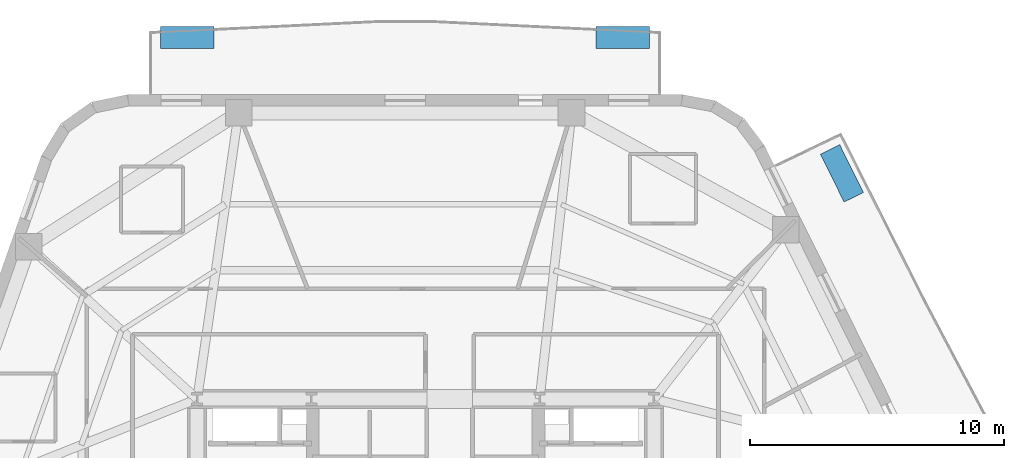
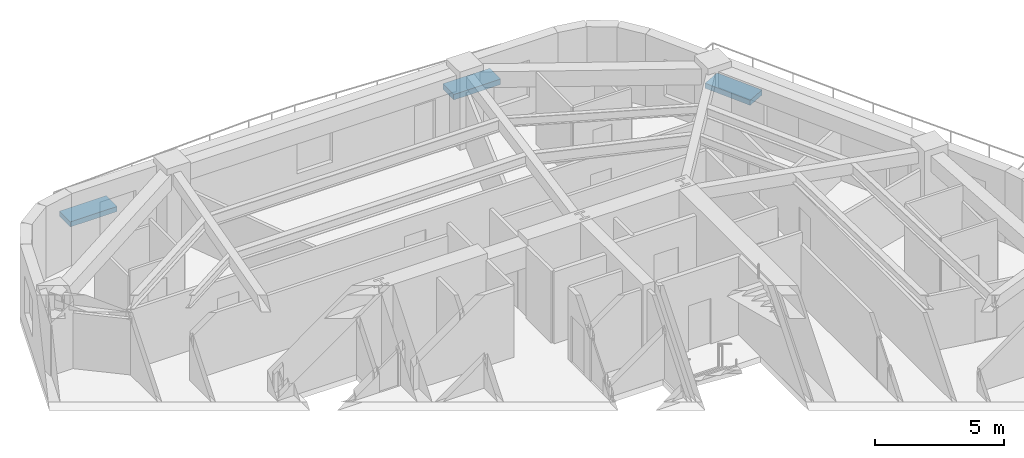
# One storey, part 7 of 10: 3 discrete accessories.
"""IFC4 building model written with IfcOpenShell, lengths in metres."""

import ifcopenshell
import ifcopenshell.guid

model = None  # the IFC model being written
_history = None  # IfcOwnerHistory: only IFC2X3 demands one
_inside = {}  # id of a spatial element -> (the spatial element, [elements in it])
_under = {}  # id of a project, library or spatial element -> (it, [spatial elements below it])
_declared = {}  # id of a project -> (the project, [libraries it declares])
_typed = {}  # id of a type object -> (the type object, [elements of that type])
_made_of = {}  # id of a material, layer set ... -> (it, [elements and type objects made of it])


def new_model(schema):
    """Start an empty IFC model of exactly this schema.

    Asked for "IFC4X3", IfcOpenShell would pick the latest addendum, in which some entities
    have other attributes; the version numbers below select the first issue.
    IFC2X3 requires an IfcOwnerHistory on every rooted entity: one is made here for all.
    """
    global model, _history
    if schema == "IFC4X3":
        model = ifcopenshell.file(schema_version=(4, 3, 0, 0))
    else:
        model = ifcopenshell.file(schema=schema)
    _inside.clear()
    _under.clear()
    _declared.clear()
    _typed.clear()
    _made_of.clear()
    _history = None
    if model.schema == "IFC2X3":
        org = make("IfcOrganization", Name="unknown")
        user = make(
            "IfcPersonAndOrganization",
            ThePerson=make("IfcPerson", FamilyName="unknown"),
            TheOrganization=org,
        )
        app = make(
            "IfcApplication",
            ApplicationDeveloper=org,
            Version="unknown",
            ApplicationFullName="unknown",
            ApplicationIdentifier="unknown",
        )
        _history = make(
            "IfcOwnerHistory",
            OwningUser=user,
            OwningApplication=app,
            ChangeAction="ADDED",
            CreationDate=0,
        )
    return model


def make(cls, **values):
    """One entity of the class cls with the attributes given. An attribute that is None is left unset."""
    return model.create_entity(
        cls, **{name: value for name, value in values.items() if value is not None}
    )


def rooted(cls, **values):
    """An entity with a GlobalId (a new one), such as an element, a storey or a relation."""
    return make(cls, GlobalId=ifcopenshell.guid.new(), OwnerHistory=_history, **values)


def si_unit(unit_type, name, prefix=None):
    """IfcSIUnit, for example si_unit("LENGTHUNIT", "METRE", prefix="MILLI")."""
    return make("IfcSIUnit", UnitType=unit_type, Prefix=prefix, Name=name)


def assignment(units):
    """IfcUnitAssignment: the units of a project."""
    return None if units is None else make("IfcUnitAssignment", Units=units)


def point(xyz):
    """IfcCartesianPoint."""
    return None if xyz is None else make("IfcCartesianPoint", Coordinates=xyz)


def direction(xyz):
    """IfcDirection."""
    return None if xyz is None else make("IfcDirection", DirectionRatios=xyz)


def frame(location, z_axis=None, x_axis=None):
    """IfcAxis2Placement3D, a coordinate frame: its origin and axes. An axis left out is left unset."""
    return make(
        "IfcAxis2Placement3D",
        Location=point(location),
        Axis=direction(z_axis),
        RefDirection=direction(x_axis),
    )


def frame_2d(location, x_axis=None):
    """IfcAxis2Placement2D, a coordinate frame in the plane: its origin and x axis."""
    return make(
        "IfcAxis2Placement2D", Location=point(location), RefDirection=direction(x_axis)
    )


def origin():
    """The frame at (0, 0, 0) with its axes left unset."""
    return frame((0.0, 0.0, 0.0))


def origin_2d():
    """The frame at (0, 0) in the plane with its x axis left unset."""
    return frame_2d((0.0, 0.0))


def place(relative_to, where):
    """IfcLocalPlacement: puts the frame where relative to a parent placement (None: the world)."""
    return make(
        "IfcLocalPlacement", PlacementRelTo=relative_to, RelativePlacement=where
    )


def context(
    kind, dimensions, precision=None, world=None, true_north=None, identifier=None
):
    """IfcGeometricRepresentationContext, for example the 3D "Model" context."""
    return make(
        "IfcGeometricRepresentationContext",
        ContextIdentifier=identifier,
        ContextType=kind,
        CoordinateSpaceDimension=dimensions,
        Precision=precision,
        WorldCoordinateSystem=world,
        TrueNorth=true_north,
    )


def subcontext(parent, identifier, kind, view, scale=None):
    """IfcGeometricRepresentationSubContext, for example "Body" below "Model"."""
    return make(
        "IfcGeometricRepresentationSubContext",
        ContextIdentifier=identifier,
        ContextType=kind,
        ParentContext=parent,
        TargetScale=scale,
        TargetView=view,
    )


def project(units=None, contexts=None):
    """IfcProject with its units and contexts."""
    return rooted(
        "IfcProject",
        Name="project",
        RepresentationContexts=contexts,
        UnitsInContext=assignment(units),
    )


def spatial(cls, under=None, at=None, **own):
    """A site, building, storey or space (cls), placed at a placement, below another one or the project."""
    s = rooted(cls, ObjectPlacement=at, **own)
    if under is not None:
        _under.setdefault(under.id(), (under, []))[1].append(s)
    return s


def profile(cls, at=None, kind="AREA", **sizes):
    """A parametric profile (cls). Its sizes go by their IFC names, for example OverallWidth=200.0."""
    return make(cls, ProfileType=kind, Position=at, **sizes)


def rectangle(**sizes):
    """IfcRectangleProfileDef."""
    return profile("IfcRectangleProfileDef", **sizes)


def extrude(swept, where, along, depth):
    """IfcExtrudedAreaSolid: the profile swept, set in the frame where, extruded along a direction by depth."""
    return make(
        "IfcExtrudedAreaSolid",
        SweptArea=swept,
        Position=where,
        ExtrudedDirection=direction(along),
        Depth=depth,
    )


def shape(context_of_items, identifier, shape_type, items):
    """IfcShapeRepresentation: the items that make up one representation, for example the "Body"."""
    return make(
        "IfcShapeRepresentation",
        ContextOfItems=context_of_items,
        RepresentationIdentifier=identifier,
        RepresentationType=shape_type,
        Items=items,
    )


def material(Name=None, Category=None):
    """IfcMaterial."""
    return make("IfcMaterial", Name=Name, Category=Category)


def made_of(thing, what):
    """Note that an element or type object is made of a material, layer set ...; save() writes the relation."""
    if what is not None:
        _made_of.setdefault(what.id(), (what, []))[1].append(thing)
    return thing


def type_object(cls, material=None, **own):
    """A type object (cls), such as IfcWallType, which elements share."""
    return made_of(rooted(cls, **own), material)


def element(
    cls,
    number,
    at=None,
    inside=None,
    cuts=None,
    type_object=None,
    material=None,
    context=None,
    identifier="Body",
    shape_type=None,
    held_by="IfcProductDefinitionShape",
    body=None,
    shapes=None,
    **own,
):
    """One element of the class cls, such as IfcWall. Its Tag is "e" and its number.

    at: its placement. inside: the storey or other place that contains it. cuts: it is an
    opening in that element (IfcRelVoidsElement). A single representation is given by context,
    identifier, shape_type and body (its items); several are given by shapes. held_by: the class
    of the entity that holds the representations. save() writes the other relations.
    """
    e = rooted(cls, Tag="e%d" % number, ObjectPlacement=at, **own)
    if body is not None:
        shapes = [shape(context, identifier, shape_type, body)]
    if shapes is not None:
        e.Representation = make(held_by, Representations=shapes)
    if inside is not None:
        _inside.setdefault(inside.id(), (inside, []))[1].append(e)
    if cuts is not None:
        rooted(
            "IfcRelVoidsElement", RelatingBuildingElement=cuts, RelatedOpeningElement=e
        )
    if type_object is not None:
        _typed.setdefault(type_object.id(), (type_object, []))[1].append(e)
    return made_of(e, material)


def aggregate(whole, parts):
    """IfcRelAggregates: a whole, such as a stair, and the parts it consists of."""
    return rooted("IfcRelAggregates", RelatingObject=whole, RelatedObjects=parts)


def save(model, path):
    """Write the relations noted so far, then the file.

    IfcRelAggregates (storeys below a building ...), IfcRelContainedInSpatialStructure (elements
    in a storey), IfcRelDefinesByType, IfcRelAssociatesMaterial and IfcRelDeclares: one each for
    every whole, place, type object, material and project.
    """
    for whole, parts in _under.values():
        aggregate(whole, parts)
    for where, things in _inside.values():
        rooted(
            "IfcRelContainedInSpatialStructure",
            RelatedElements=things,
            RelatingStructure=where,
        )
    for kind, things in _typed.values():
        rooted("IfcRelDefinesByType", RelatedObjects=things, RelatingType=kind)
    for what, things in _made_of.values():
        rooted("IfcRelAssociatesMaterial", RelatedObjects=things, RelatingMaterial=what)
    for by, libraries in _declared.values():
        rooted("IfcRelDeclares", RelatingContext=by, RelatedDefinitions=libraries)
    model.write(path)


model = new_model("IFC4")

# Units and contexts
model_context = context("Model", 3, precision=1e-05, world=origin(), true_north=direction((0.0, 1.0)))
body_context = subcontext(model_context, "Body", "Model", "MODEL_VIEW")
ifc_project = project(units=[si_unit("LENGTHUNIT", "METRE"), si_unit("AREAUNIT", "SQUARE_METRE"), si_unit("VOLUMEUNIT", "CUBIC_METRE"), si_unit("PLANEANGLEUNIT", "RADIAN"), si_unit("MASSUNIT", "GRAM", prefix="KILO")], contexts=[model_context])

# Site, building, storey
site_placement = place(None, origin())
site = spatial("IfcSite", under=ifc_project, at=site_placement, CompositionType="ELEMENT")
building_placement = place(site_placement, origin())
building = spatial("IfcBuilding", under=site, at=building_placement, Name="Kilnhurst Terrace Hotel", CompositionType="ELEMENT")
storey_placement = place(building_placement, frame((0.0, 0.0, 186.699951171875)))
storey = spatial("IfcBuildingStorey", under=building, at=storey_placement, Name="L46", CompositionType="ELEMENT", Elevation=186.699951171875)

# Discrete accessories
ifc_material_1 = material(Name="Precast Concrete C40/50 Shrub Planter", Category="concrete")
discrete_accessory_type_1 = type_object("IfcDiscreteAccessoryType", Name="PLN-SHRUB-240", PredefinedType="USERDEFINED", material=ifc_material_1)
for number, where, z_axis, x_axis, name in (
    (1, (16.414306640625, 16.393310546875, 0.0), (0.0, 0.0, 1.0), (-0.444244308887, 0.895905683664, 0.0), "L46 Structural Tree Planter Box PLANTER BAL-L1A.2"),
    (2, (-9.3935546875, 21.75, 0.0), (0.0, 0.0, 1.0), (-1.0, 0.0, 0.0), "L46 Structural Tree Planter Box PLANTER BAL-L1B.2"),
):
    element("IfcDiscreteAccessory", number, at=place(storey_placement, frame(where, z_axis=z_axis, x_axis=x_axis)), inside=storey, type_object=discrete_accessory_type_1, Name=name, ObjectType="PLANTER", PredefinedType="USERDEFINED", context=body_context, shape_type="SweptSolid", body=[
        extrude(rectangle(XDim=2.10009765625, YDim=0.85009765625, at=origin_2d()), origin(), (0.0, 0.0, 1.0), 0.239990234375),
    ])
ifc_material_2 = material(Name="Precast Concrete C40/50 Tree Planter", Category="concrete")
discrete_accessory_type_2 = type_object("IfcDiscreteAccessoryType", Name="PLN-TREE-260", PredefinedType="USERDEFINED", material=ifc_material_2)
discrete_accessory_placement = place(storey_placement, frame((7.779296875, 21.75, 0.0), z_axis=(0.0, 0.0, 1.0), x_axis=(-1.0, 0.0, 0.0)))
element("IfcDiscreteAccessory", 3, at=discrete_accessory_placement, inside=storey, type_object=discrete_accessory_type_2, Name="L46 Structural Tree Planter Box PLANTER BAL-L1B.1", ObjectType="PLANTER", PredefinedType="USERDEFINED", context=body_context, shape_type="SweptSolid", body=[
    extrude(rectangle(XDim=2.10009765625, YDim=0.85009765625, at=origin_2d()), origin(), (0.0, 0.0, 1.0), 0.260009765625),
])

save(model, "model.ifc")
